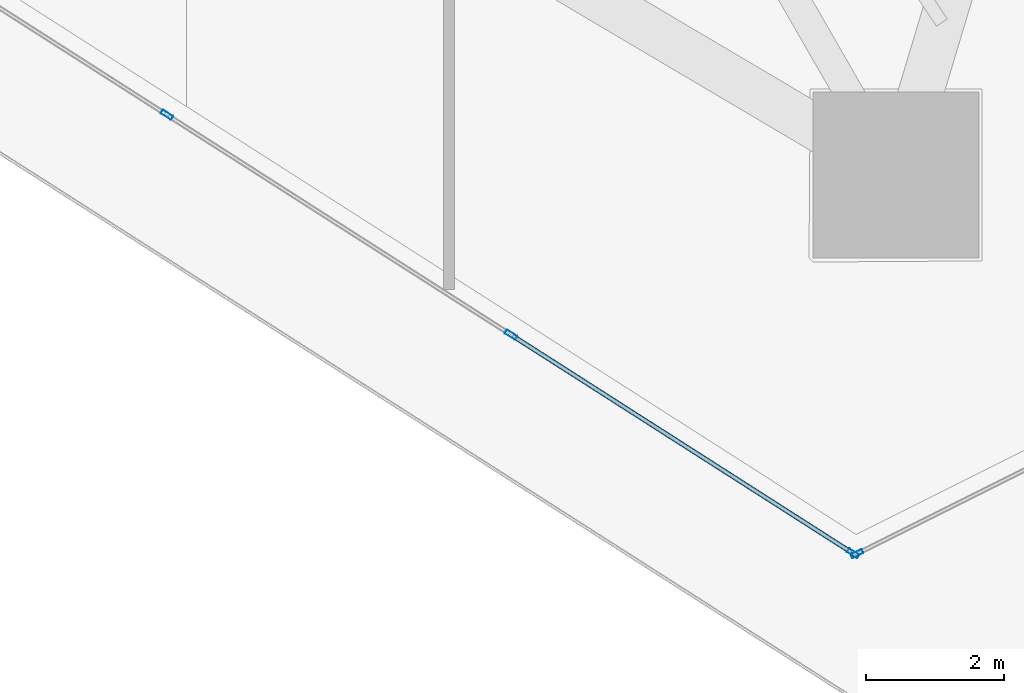
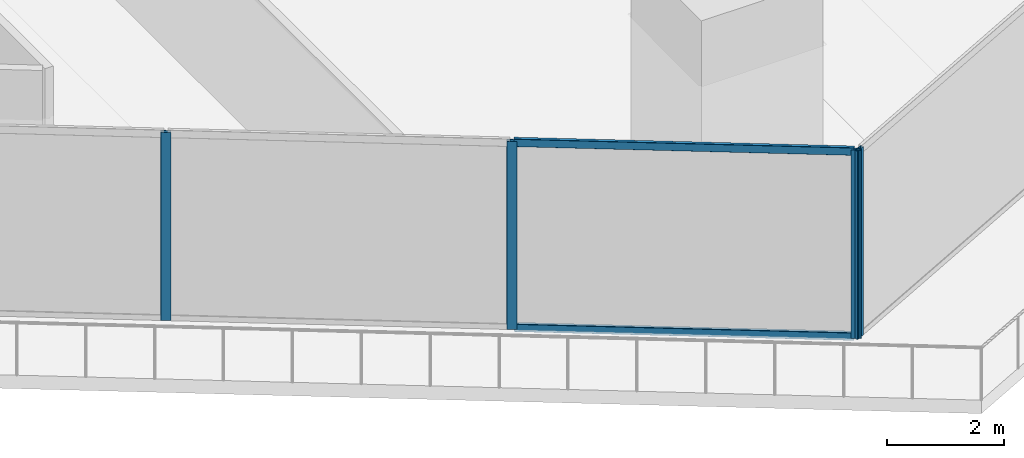
# One storey, part 7 of 44: 6 members, 2 elements without a shape of their own.
"""IFC4 building model written with IfcOpenShell, lengths in metres."""

import ifcopenshell
import ifcopenshell.guid

model = None  # the IFC model being written
_history = None  # IfcOwnerHistory: only IFC2X3 demands one
_inside = {}  # id of a spatial element -> (the spatial element, [elements in it])
_under = {}  # id of a project, library or spatial element -> (it, [spatial elements below it])
_declared = {}  # id of a project -> (the project, [libraries it declares])
_typed = {}  # id of a type object -> (the type object, [elements of that type])
_made_of = {}  # id of a material, layer set ... -> (it, [elements and type objects made of it])


def new_model(schema):
    """Start an empty IFC model of exactly this schema.

    Asked for "IFC4X3", IfcOpenShell would pick the latest addendum, in which some entities
    have other attributes; the version numbers below select the first issue.
    IFC2X3 requires an IfcOwnerHistory on every rooted entity: one is made here for all.
    """
    global model, _history
    if schema == "IFC4X3":
        model = ifcopenshell.file(schema_version=(4, 3, 0, 0))
    else:
        model = ifcopenshell.file(schema=schema)
    _inside.clear()
    _under.clear()
    _declared.clear()
    _typed.clear()
    _made_of.clear()
    _history = None
    if model.schema == "IFC2X3":
        org = make("IfcOrganization", Name="unknown")
        user = make(
            "IfcPersonAndOrganization",
            ThePerson=make("IfcPerson", FamilyName="unknown"),
            TheOrganization=org,
        )
        app = make(
            "IfcApplication",
            ApplicationDeveloper=org,
            Version="unknown",
            ApplicationFullName="unknown",
            ApplicationIdentifier="unknown",
        )
        _history = make(
            "IfcOwnerHistory",
            OwningUser=user,
            OwningApplication=app,
            ChangeAction="ADDED",
            CreationDate=0,
        )
    return model


def make(cls, **values):
    """One entity of the class cls with the attributes given. An attribute that is None is left unset."""
    return model.create_entity(
        cls, **{name: value for name, value in values.items() if value is not None}
    )


def rooted(cls, **values):
    """An entity with a GlobalId (a new one), such as an element, a storey or a relation."""
    return make(cls, GlobalId=ifcopenshell.guid.new(), OwnerHistory=_history, **values)


def si_unit(unit_type, name, prefix=None):
    """IfcSIUnit, for example si_unit("LENGTHUNIT", "METRE", prefix="MILLI")."""
    return make("IfcSIUnit", UnitType=unit_type, Prefix=prefix, Name=name)


def assignment(units):
    """IfcUnitAssignment: the units of a project."""
    return None if units is None else make("IfcUnitAssignment", Units=units)


def point(xyz):
    """IfcCartesianPoint."""
    return None if xyz is None else make("IfcCartesianPoint", Coordinates=xyz)


def direction(xyz):
    """IfcDirection."""
    return None if xyz is None else make("IfcDirection", DirectionRatios=xyz)


def frame(location, z_axis=None, x_axis=None):
    """IfcAxis2Placement3D, a coordinate frame: its origin and axes. An axis left out is left unset."""
    return make(
        "IfcAxis2Placement3D",
        Location=point(location),
        Axis=direction(z_axis),
        RefDirection=direction(x_axis),
    )


def frame_2d(location, x_axis=None):
    """IfcAxis2Placement2D, a coordinate frame in the plane: its origin and x axis."""
    return make(
        "IfcAxis2Placement2D", Location=point(location), RefDirection=direction(x_axis)
    )


def origin():
    """The frame at (0, 0, 0) with its axes left unset."""
    return frame((0.0, 0.0, 0.0))


def origin_2d():
    """The frame at (0, 0) in the plane with its x axis left unset."""
    return frame_2d((0.0, 0.0))


def place(relative_to, where):
    """IfcLocalPlacement: puts the frame where relative to a parent placement (None: the world)."""
    return make(
        "IfcLocalPlacement", PlacementRelTo=relative_to, RelativePlacement=where
    )


def context(
    kind, dimensions, precision=None, world=None, true_north=None, identifier=None
):
    """IfcGeometricRepresentationContext, for example the 3D "Model" context."""
    return make(
        "IfcGeometricRepresentationContext",
        ContextIdentifier=identifier,
        ContextType=kind,
        CoordinateSpaceDimension=dimensions,
        Precision=precision,
        WorldCoordinateSystem=world,
        TrueNorth=true_north,
    )


def subcontext(parent, identifier, kind, view, scale=None):
    """IfcGeometricRepresentationSubContext, for example "Body" below "Model"."""
    return make(
        "IfcGeometricRepresentationSubContext",
        ContextIdentifier=identifier,
        ContextType=kind,
        ParentContext=parent,
        TargetScale=scale,
        TargetView=view,
    )


def project(units=None, contexts=None):
    """IfcProject with its units and contexts."""
    return rooted(
        "IfcProject",
        Name="project",
        RepresentationContexts=contexts,
        UnitsInContext=assignment(units),
    )


def spatial(cls, under=None, at=None, **own):
    """A site, building, storey or space (cls), placed at a placement, below another one or the project."""
    s = rooted(cls, ObjectPlacement=at, **own)
    if under is not None:
        _under.setdefault(under.id(), (under, []))[1].append(s)
    return s


def profile(cls, at=None, kind="AREA", **sizes):
    """A parametric profile (cls). Its sizes go by their IFC names, for example OverallWidth=200.0."""
    return make(cls, ProfileType=kind, Position=at, **sizes)


def hollow_rectangle(**sizes):
    """IfcRectangleHollowProfileDef."""
    return profile("IfcRectangleHollowProfileDef", **sizes)


def extrude(swept, where, along, depth):
    """IfcExtrudedAreaSolid: the profile swept, set in the frame where, extruded along a direction by depth."""
    return make(
        "IfcExtrudedAreaSolid",
        SweptArea=swept,
        Position=where,
        ExtrudedDirection=direction(along),
        Depth=depth,
    )


def shape(context_of_items, identifier, shape_type, items):
    """IfcShapeRepresentation: the items that make up one representation, for example the "Body"."""
    return make(
        "IfcShapeRepresentation",
        ContextOfItems=context_of_items,
        RepresentationIdentifier=identifier,
        RepresentationType=shape_type,
        Items=items,
    )


def material(Name=None, Category=None):
    """IfcMaterial."""
    return make("IfcMaterial", Name=Name, Category=Category)


def layer(
    of_material, thickness, ventilated=None, Name=None, Category=None, Priority=None
):
    """IfcMaterialLayer: one layer of a wall or slab, of a material (None: an air gap)."""
    return make(
        "IfcMaterialLayer",
        Material=of_material,
        LayerThickness=thickness,
        IsVentilated=ventilated,
        Name=Name,
        Category=Category,
        Priority=Priority,
    )


def layer_set(layers, Name=None):
    """IfcMaterialLayerSet."""
    return make("IfcMaterialLayerSet", MaterialLayers=layers, LayerSetName=Name)


def material_profile(
    of_material, cross_section, Name=None, Category=None, Priority=None
):
    """IfcMaterialProfile: a cross section and its material."""
    return make(
        "IfcMaterialProfile",
        Name=Name,
        Material=of_material,
        Profile=cross_section,
        Priority=Priority,
        Category=Category,
    )


def profile_set(profiles, Name=None, composite=None):
    """IfcMaterialProfileSet."""
    return make(
        "IfcMaterialProfileSet",
        Name=Name,
        MaterialProfiles=profiles,
        CompositeProfile=composite,
    )


def made_of(thing, what):
    """Note that an element or type object is made of a material, layer set ...; save() writes the relation."""
    if what is not None:
        _made_of.setdefault(what.id(), (what, []))[1].append(thing)
    return thing


def type_object(cls, material=None, **own):
    """A type object (cls), such as IfcWallType, which elements share."""
    return made_of(rooted(cls, **own), material)


def element(
    cls,
    number,
    at=None,
    inside=None,
    cuts=None,
    type_object=None,
    material=None,
    context=None,
    identifier="Body",
    shape_type=None,
    held_by="IfcProductDefinitionShape",
    body=None,
    shapes=None,
    **own,
):
    """One element of the class cls, such as IfcWall. Its Tag is "e" and its number.

    at: its placement. inside: the storey or other place that contains it. cuts: it is an
    opening in that element (IfcRelVoidsElement). A single representation is given by context,
    identifier, shape_type and body (its items); several are given by shapes. held_by: the class
    of the entity that holds the representations. save() writes the other relations.
    """
    e = rooted(cls, Tag="e%d" % number, ObjectPlacement=at, **own)
    if body is not None:
        shapes = [shape(context, identifier, shape_type, body)]
    if shapes is not None:
        e.Representation = make(held_by, Representations=shapes)
    if inside is not None:
        _inside.setdefault(inside.id(), (inside, []))[1].append(e)
    if cuts is not None:
        rooted(
            "IfcRelVoidsElement", RelatingBuildingElement=cuts, RelatedOpeningElement=e
        )
    if type_object is not None:
        _typed.setdefault(type_object.id(), (type_object, []))[1].append(e)
    return made_of(e, material)


def aggregate(whole, parts):
    """IfcRelAggregates: a whole, such as a stair, and the parts it consists of."""
    return rooted("IfcRelAggregates", RelatingObject=whole, RelatedObjects=parts)


def save(model, path):
    """Write the relations noted so far, then the file.

    IfcRelAggregates (storeys below a building ...), IfcRelContainedInSpatialStructure (elements
    in a storey), IfcRelDefinesByType, IfcRelAssociatesMaterial and IfcRelDeclares: one each for
    every whole, place, type object, material and project.
    """
    for whole, parts in _under.values():
        aggregate(whole, parts)
    for where, things in _inside.values():
        rooted(
            "IfcRelContainedInSpatialStructure",
            RelatedElements=things,
            RelatingStructure=where,
        )
    for kind, things in _typed.values():
        rooted("IfcRelDefinesByType", RelatedObjects=things, RelatingType=kind)
    for what, things in _made_of.values():
        rooted("IfcRelAssociatesMaterial", RelatedObjects=things, RelatingMaterial=what)
    for by, libraries in _declared.values():
        rooted("IfcRelDeclares", RelatingContext=by, RelatedDefinitions=libraries)
    model.write(path)


model = new_model("IFC4")

# Units and contexts
model_context = context("Model", 3, precision=1e-05, world=origin(), true_north=direction((0.0, 1.0)))
body_context = subcontext(model_context, "Body", "Model", "MODEL_VIEW")
ifc_project = project(units=[si_unit("LENGTHUNIT", "METRE"), si_unit("AREAUNIT", "SQUARE_METRE"), si_unit("VOLUMEUNIT", "CUBIC_METRE"), si_unit("PLANEANGLEUNIT", "RADIAN"), si_unit("MASSUNIT", "GRAM", prefix="KILO")], contexts=[model_context])

# Site, building, storey
site_placement = place(None, origin())
site = spatial("IfcSite", under=ifc_project, at=site_placement, CompositionType="ELEMENT")
building_placement = place(site_placement, origin())
building = spatial("IfcBuilding", under=site, at=building_placement, Name="Qorvath Tower", CompositionType="ELEMENT")
storey_placement = place(building_placement, frame((0.0, 0.0, 57.60009765625)))
storey = spatial("IfcBuildingStorey", under=building, at=storey_placement, Name="L12", CompositionType="ELEMENT", Elevation=57.60009765625)

# Curtain wall, members
ifc_material_1 = material(Name="Anodised aluminium and triple low-E glass", Category="aluminium")
ifc_layer = layer(ifc_material_1, 0.179931640625)
ifc_layer_set = layer_set([ifc_layer], Name="CW-SYS-2")
curtain_wall_type = type_object("IfcCurtainWallType", Name="CW-SYS-2", PredefinedType="NOTDEFINED", material=ifc_layer_set)
curtain_wall_1_placement = place(storey_placement, origin())
curtain_wall_1 = element("IfcCurtainWall", 1, at=curtain_wall_1_placement, inside=storey, type_object=curtain_wall_type, Name="Curtain Wall CW-2 CW-T-L12-2.2", PredefinedType="NOTDEFINED")
ifc_material_2 = material(Name="Anodised aluminium 6063-T6", Category="aluminium")
ifc_material_profile_1 = material_profile(ifc_material_2, hollow_rectangle(XDim=0.06494140625, YDim=0.179931640625, WallThickness=0.00341796875, InnerFilletRadius=0.00341796875, OuterFilletRadius=0.007080078125, at=origin_2d()), Name="CWM 180x65")
ifc_profile_set_1 = profile_set([ifc_material_profile_1], Name="Anodised aluminium 6063-T6")
member_type_1 = type_object("IfcMemberType", Name="CWM-180", PredefinedType="MULLION", material=ifc_profile_set_1)
member_1_placement = place(storey_placement, frame((-25.019775390625, -26.458984375, 0.0), z_axis=(0.0, 0.0, 1.0), x_axis=(0.538536297709, 0.842602311918, 0.0)))
member_1 = element("IfcMember", 2, at=member_1_placement, type_object=member_type_1, Name="CW-2 mullion 4", PredefinedType="MULLION", context=body_context, shape_type="SweptSolid", body=[
    extrude(hollow_rectangle(XDim=0.06494140625, YDim=0.179931640625, WallThickness=0.00341796875, InnerFilletRadius=0.00341796875, OuterFilletRadius=0.007080078125, at=origin_2d()), origin(), (0.0, 0.0, 1.0), 3.919921875),
])
member_2_placement = place(storey_placement, frame((-20.0390625, -29.642578125, 0.0), z_axis=(0.0, 0.0, 1.0), x_axis=(0.538536297709, 0.842602311918, 0.0)))
member_2 = element("IfcMember", 3, at=member_2_placement, type_object=member_type_1, Name="CW-2 mullion 5", PredefinedType="MULLION", context=body_context, shape_type="SweptSolid", body=[
    extrude(hollow_rectangle(XDim=0.06494140625, YDim=0.179931640625, WallThickness=0.00341796875, InnerFilletRadius=0.00341796875, OuterFilletRadius=0.007080078125, at=origin_2d()), origin(), (0.0, 0.0, 1.0), 3.919921875),
])
member_3_placement = place(storey_placement, frame((-15.08544921875, -32.808349609375, 0.0), z_axis=(0.0, 0.0, 1.0), x_axis=(0.538536297709, 0.842602311918, 0.0)))
member_3 = element("IfcMember", 4, at=member_3_placement, type_object=member_type_1, Name="CW-2 mullion 6", PredefinedType="MULLION", context=body_context, shape_type="SweptSolid", body=[
    extrude(hollow_rectangle(XDim=0.06494140625, YDim=0.179931640625, WallThickness=0.00341796875, InnerFilletRadius=0.00341796875, OuterFilletRadius=0.007080078125, at=origin_2d()), origin(), (0.0, 0.0, 1.0), 3.919921875),
])

# Curtain wall, member
curtain_wall_2_placement = place(storey_placement, origin())
curtain_wall_2 = element("IfcCurtainWall", 5, at=curtain_wall_2_placement, inside=storey, type_object=curtain_wall_type, Name="Curtain Wall CW-2 CW-T-L12-3.1", PredefinedType="NOTDEFINED")
member_4_placement = place(storey_placement, frame((-15.029052734375, -32.811279296875, 0.0), z_axis=(0.0, 0.0, 1.0), x_axis=(-0.447213595499, 0.894427191001, 0.0)))
member_4 = element("IfcMember", 6, at=member_4_placement, type_object=member_type_1, Name="CW-2 mullion 1", PredefinedType="MULLION", context=body_context, shape_type="SweptSolid", body=[
    extrude(hollow_rectangle(XDim=0.06494140625, YDim=0.179931640625, WallThickness=0.00341796875, InnerFilletRadius=0.00341796875, OuterFilletRadius=0.007080078125, at=origin_2d()), origin(), (0.0, 0.0, 1.0), 3.919921875),
])
aggregate(curtain_wall_2, [member_4])

# Member
ifc_material_3 = material(Name="Anodised aluminium 6063-T6", Category="aluminium")
ifc_material_profile_2 = material_profile(ifc_material_3, hollow_rectangle(XDim=0.06494140625, YDim=0.159912109375, WallThickness=0.00341796875, InnerFilletRadius=0.00341796875, OuterFilletRadius=0.007080078125, at=origin_2d()), Name="CWT 160x65")
ifc_profile_set_2 = profile_set([ifc_material_profile_2], Name="Anodised aluminium 6063-T6")
member_type_2 = type_object("IfcMemberType", Name="CWT-160", PredefinedType="USERDEFINED", material=ifc_profile_set_2)
member_5_placement = place(storey_placement, frame((-20.011474609375, -29.659912109375, 0.032470703125), z_axis=(0.842587751429, -0.538559078599, 0.0), x_axis=(0.538559078599, 0.842587751429, 0.0)))
member_5 = element("IfcMember", 7, at=member_5_placement, type_object=member_type_2, Name="CW-2 transom 5.1", ObjectType="TRANSOM", PredefinedType="USERDEFINED", context=body_context, shape_type="SweptSolid", body=[
    extrude(hollow_rectangle(XDim=0.06494140625, YDim=0.159912109375, WallThickness=0.00341796875, InnerFilletRadius=0.00341796875, OuterFilletRadius=0.007080078125, at=origin_2d()), origin(), (0.0, 0.0, 1.0), 5.81396484375),
])

member_6_placement = place(storey_placement, frame((-20.011474609375, -29.659912109375, 3.887451171875), z_axis=(0.842587751429, -0.538559078599, 0.0), x_axis=(0.538559078599, 0.842587751429, 0.0)))
member_6 = element("IfcMember", 8, at=member_6_placement, type_object=member_type_2, Name="CW-2 transom 5.2", ObjectType="TRANSOM", PredefinedType="USERDEFINED", context=body_context, shape_type="SweptSolid", body=[
    extrude(hollow_rectangle(XDim=0.06494140625, YDim=0.159912109375, WallThickness=0.00341796875, InnerFilletRadius=0.00341796875, OuterFilletRadius=0.007080078125, at=origin_2d()), origin(), (0.0, 0.0, 1.0), 5.81396484375),
])

aggregate(curtain_wall_1, [member_1, member_2, member_3, member_5, member_6])

save(model, "model.ifc")
